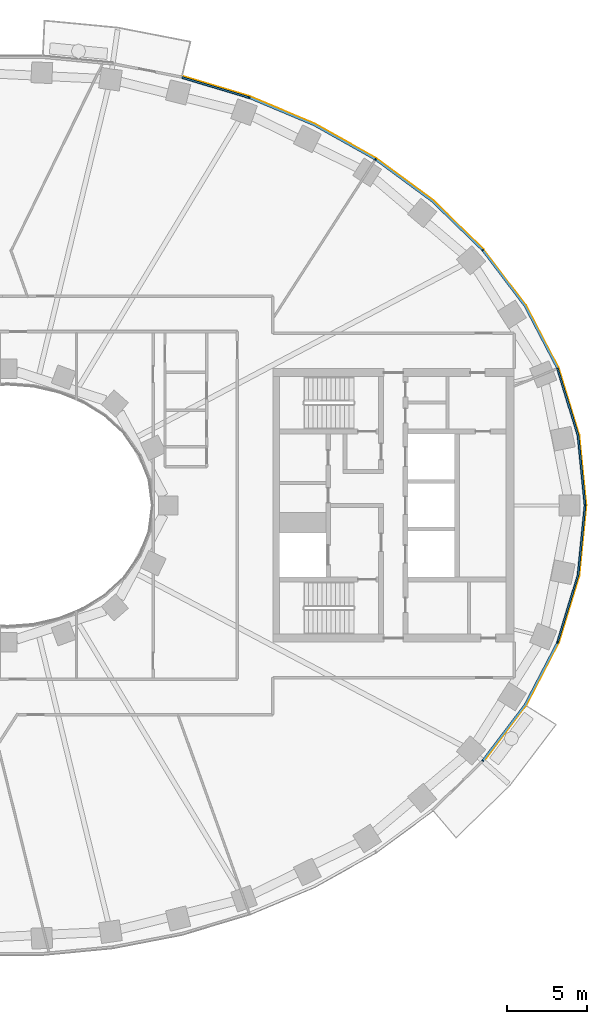
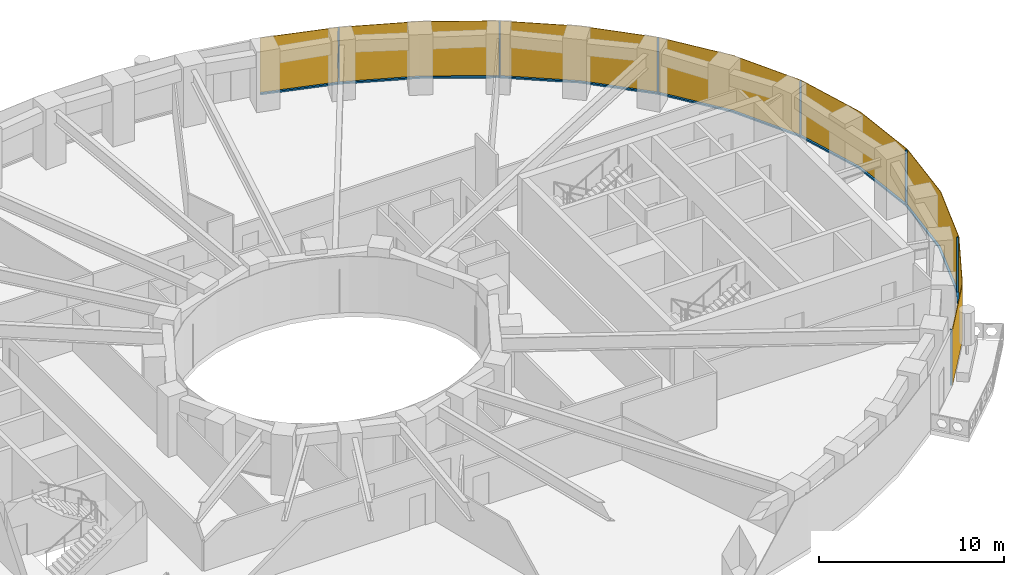
# One storey, part 13 of 16: 14 members, 1 curtain wall.
"""IFC4 building model written with IfcOpenShell, lengths in metres."""

from ifc_helpers import new_model, si_unit, direction, frame, origin, origin_2d, place, context, subcontext, project, spatial, polyline, rectangle, outline, extrude, material, layer, layer_set, material_profile, profile_set, type_object, element, aggregate, save


model = new_model("IFC4")

# Units and contexts
model_context = context("Model", 3, precision=1e-05, world=origin(), true_north=direction((0.0, 1.0)))
body_context = subcontext(model_context, "Body", "Model", "MODEL_VIEW")
ifc_project = project(units=[si_unit("LENGTHUNIT", "METRE"), si_unit("AREAUNIT", "SQUARE_METRE"), si_unit("VOLUMEUNIT", "CUBIC_METRE"), si_unit("PLANEANGLEUNIT", "RADIAN"), si_unit("MASSUNIT", "GRAM", prefix="KILO")], contexts=[model_context])

# Member
ifc_material_1 = material(Name="Aluminium 6063-T6 black anodised", Category="aluminium")
ifc_material_profile = material_profile(ifc_material_1, rectangle(XDim=0.1201171875, YDim=0.06005859375, at=origin_2d()), Name="120x60")
ifc_profile_set = profile_set([ifc_material_profile], Name="Aluminium 6063-T6 black anodised")
member_type_1 = type_object("IfcMemberType", Name="ENV-MULLION-A-120", PredefinedType="MULLION", material=ifc_profile_set)
site_placement = place(None, origin())
building_placement = place(site_placement, origin())
storey_placement = place(building_placement, frame((0.0, 0.0, 100.0)))
member_1_placement = place(storey_placement, frame((29.53857421875, -15.8671875, 0.0), z_axis=(0.0, 0.0, 1.0), x_axis=(-0.749047221705, 0.662516610853, 0.0)))
member_1 = element("IfcMember", 1, at=member_1_placement, type_object=member_type_1, Name="Mullion A radial 43", PredefinedType="MULLION", context=body_context, shape_type="SweptSolid", body=[
    extrude(rectangle(XDim=0.1201171875, YDim=0.06005859375, at=origin_2d()), origin(), (0.0, 0.0, 1.0), 3.699951171875),
])

member_2_placement = place(storey_placement, frame((34.19580078125, -8.513916015625, 0.0), z_axis=(0.0, 0.0, 1.0), x_axis=(-0.92546738067, 0.378827305398, 0.0)))
member_2 = element("IfcMember", 2, at=member_2_placement, type_object=member_type_1, Name="Mullion A radial 45", PredefinedType="MULLION", context=body_context, shape_type="SweptSolid", body=[
    extrude(rectangle(XDim=0.1201171875, YDim=0.06005859375, at=origin_2d()), origin(), (0.0, 0.0, 1.0), 3.699951171875),
])

member_3_placement = place(storey_placement, frame((35.907958984375, 0.0, 0.0), z_axis=(0.0, 0.0, 1.0), x_axis=(-1.0, 0.0, 0.0)))
member_3 = element("IfcMember", 3, at=member_3_placement, type_object=member_type_1, Name="Mullion A radial 01", PredefinedType="MULLION", context=body_context, shape_type="SweptSolid", body=[
    extrude(rectangle(XDim=0.1201171875, YDim=0.06005859375, at=origin_2d()), origin(), (0.0, 0.0, 1.0), 3.699951171875),
])

member_4_placement = place(storey_placement, frame((34.19580078125, 8.513916015625, 0.0), z_axis=(0.0, 0.0, 1.0), x_axis=(-0.92546738067, -0.378827305398, 0.0)))
member_4 = element("IfcMember", 4, at=member_4_placement, type_object=member_type_1, Name="Mullion A radial 03", PredefinedType="MULLION", context=body_context, shape_type="SweptSolid", body=[
    extrude(rectangle(XDim=0.1201171875, YDim=0.06005859375, at=origin_2d()), origin(), (0.0, 0.0, 1.0), 3.699951171875),
])

member_5_placement = place(storey_placement, frame((29.53857421875, 15.8671875, 0.0), z_axis=(0.0, 0.0, 1.0), x_axis=(-0.749047221705, -0.662516610853, 0.0)))
member_5 = element("IfcMember", 5, at=member_5_placement, type_object=member_type_1, Name="Mullion A radial 05", PredefinedType="MULLION", context=body_context, shape_type="SweptSolid", body=[
    extrude(rectangle(XDim=0.1201171875, YDim=0.06005859375, at=origin_2d()), origin(), (0.0, 0.0, 1.0), 3.699951171875),
])

member_6_placement = place(storey_placement, frame((22.882568359375, 21.506591796875, 0.0), z_axis=(0.0, 0.0, 1.0), x_axis=(-0.542279153225, -0.840198381323, 0.0)))
member_6 = element("IfcMember", 6, at=member_6_placement, type_object=member_type_1, Name="Mullion A radial 07", PredefinedType="MULLION", context=body_context, shape_type="SweptSolid", body=[
    extrude(rectangle(XDim=0.1201171875, YDim=0.06005859375, at=origin_2d()), origin(), (0.0, 0.0, 1.0), 3.699951171875),
])

member_7_placement = place(storey_placement, frame((15.0341796875, 25.34375, 0.0), z_axis=(0.0, 0.0, 1.0), x_axis=(-0.338379256581, -0.941009818608, 0.0)))
member_7 = element("IfcMember", 7, at=member_7_placement, type_object=member_type_1, Name="Mullion A radial 09", PredefinedType="MULLION", context=body_context, shape_type="SweptSolid", body=[
    extrude(rectangle(XDim=0.1201171875, YDim=0.06005859375, at=origin_2d()), origin(), (0.0, 0.0, 1.0), 3.699951171875),
])

ifc_material_2 = material(Name="Aluminium 6063-T6 black anodised", Category="aluminium")
member_type_2 = type_object("IfcMemberType", Name="ENV-TRANSOM-A", PredefinedType="USERDEFINED", material=ifc_material_2)
member_8_placement = place(storey_placement, origin())
member_8 = element("IfcMember", 8, at=member_8_placement, type_object=member_type_2, Name="Transom A radial 43-45", ObjectType="TRANSOM", PredefinedType="USERDEFINED", context=body_context, shape_type="SweptSolid", body=[
    extrude(outline(polyline([(29.6005859375, -15.884521484375), (32.22802734375, -12.41748046875), (34.23828125, -8.5615234375), (34.126708984375, -8.515869140625), (32.126220703125, -12.35302734375), (29.51025390625, -15.8046875), (29.6005859375, -15.884521484375)])), origin(), (0.0, 0.0, 1.0), 0.10009765625),
])

member_9_placement = place(storey_placement, origin())
member_9 = element("IfcMember", 9, at=member_9_placement, type_object=member_type_2, Name="Transom A radial 45-01", ObjectType="TRANSOM", PredefinedType="USERDEFINED", context=body_context, shape_type="SweptSolid", body=[
    extrude(outline(polyline([(34.259521484375, -8.509765625), (35.529541015625, -4.352294921875), (35.965087890625, -0.02783203125), (35.844482421875, -0.02783203125), (35.411376953125, -4.32861328125), (34.14794921875, -8.464111328125), (34.259521484375, -8.509765625)])), origin(), (0.0, 0.0, 1.0), 0.10009765625),
])

member_10_placement = place(storey_placement, origin())
member_10 = element("IfcMember", 10, at=member_10_placement, type_object=member_type_2, Name="Transom A radial 01-03", ObjectType="TRANSOM", PredefinedType="USERDEFINED", context=body_context, shape_type="SweptSolid", body=[
    extrude(outline(polyline([(35.965087890625, 0.02783203125), (35.529541015625, 4.352294921875), (34.259521484375, 8.509765625), (34.14794921875, 8.464111328125), (35.411376953125, 4.32861328125), (35.844482421875, 0.02783203125), (35.965087890625, 0.02783203125)])), origin(), (0.0, 0.0, 1.0), 0.10009765625),
])

member_11_placement = place(storey_placement, origin())
member_11 = element("IfcMember", 11, at=member_11_placement, type_object=member_type_2, Name="Transom A radial 03-05", ObjectType="TRANSOM", PredefinedType="USERDEFINED", context=body_context, shape_type="SweptSolid", body=[
    extrude(outline(polyline([(34.23828125, 8.5615234375), (32.22802734375, 12.41748046875), (29.6005859375, 15.884521484375), (29.51025390625, 15.8046875), (32.126220703125, 12.35302734375), (34.126708984375, 8.515869140625), (34.23828125, 8.5615234375)])), origin(), (0.0, 0.0, 1.0), 0.10009765625),
])

member_12_placement = place(storey_placement, origin())
member_12 = element("IfcMember", 12, at=member_12_placement, type_object=member_type_2, Name="Transom A radial 05-07", ObjectType="TRANSOM", PredefinedType="USERDEFINED", context=body_context, shape_type="SweptSolid", body=[
    extrude(outline(polyline([(29.5634765625, 15.926513671875), (26.4423828125, 18.958740234375), (22.937744140625, 21.540283203125), (22.87255859375, 21.439208984375), (26.364501953125, 18.866943359375), (29.473388671875, 15.8466796875), (29.5634765625, 15.926513671875)])), origin(), (0.0, 0.0, 1.0), 0.10009765625),
])

member_13_placement = place(storey_placement, origin())
member_13 = element("IfcMember", 13, at=member_13_placement, type_object=member_type_2, Name="Transom A radial 07-09", ObjectType="TRANSOM", PredefinedType="USERDEFINED", context=body_context, shape_type="SweptSolid", body=[
    extrude(outline(polyline([(22.890625, 21.570556640625), (19.093994140625, 23.701416015625), (15.080322265625, 25.389404296875), (15.03955078125, 25.276123046875), (19.041259765625, 23.593505859375), (22.825439453125, 21.469482421875), (22.890625, 21.570556640625)])), origin(), (0.0, 0.0, 1.0), 0.10009765625),
])

member_14_placement = place(storey_placement, origin())
member_14 = element("IfcMember", 14, at=member_14_placement, type_object=member_type_2, Name="Transom A radial 09-10", ObjectType="TRANSOM", PredefinedType="USERDEFINED", context=body_context, shape_type="SweptSolid", body=[
    extrude(outline(polyline([(15.027587890625, 25.408203125), (10.876708984375, 26.657470703125), (10.847900390625, 26.540771484375), (14.987060546875, 25.295166015625), (15.027587890625, 25.408203125)])), origin(), (0.0, 0.0, 1.0), 0.10009765625),
])

# Site, building, storey
site = spatial("IfcSite", under=ifc_project, at=site_placement, CompositionType="ELEMENT")
building = spatial("IfcBuilding", under=site, at=building_placement, Name="Noorbagh Ring Tower", CompositionType="ELEMENT")
storey = spatial("IfcBuildingStorey", under=building, at=storey_placement, Name="L22", CompositionType="ELEMENT", Elevation=100.0)

# Curtain wall
ifc_material_3 = material(Name="Glass dark tinted laminated", Category="glass")
ifc_layer = layer(ifc_material_3, 0.031982421875)
ifc_layer_set = layer_set([ifc_layer], Name="Glass dark tinted laminated")
curtain_wall_type = type_object("IfcCurtainWallType", Name="ENV-CW-A", PredefinedType="NOTDEFINED", material=ifc_layer_set)
curtain_wall_placement = place(storey_placement, origin())
curtain_wall = element("IfcCurtainWall", 15, at=curtain_wall_placement, inside=storey, type_object=curtain_wall_type, Name="Curtain wall A R43", PredefinedType="NOTDEFINED", context=body_context, shape_type="SweptSolid", body=[
    extrude(outline(polyline([(29.61962890625, -15.912109375), (32.255126953125, -12.434814453125), (34.281005859375, -8.548828125), (35.561279296875, -4.358642578125), (36.0, 0.0), (35.561279296875, 4.358642578125), (34.281005859375, 8.548828125), (32.255126953125, 12.434814453125), (29.607666015625, 15.927978515625), (26.463134765625, 18.9833984375), (22.9326171875, 21.583740234375), (19.108154296875, 23.730224609375), (15.065185546875, 25.430419921875), (10.884521484375, 26.6884765625), (10.876708984375, 26.657470703125), (15.054443359375, 25.400146484375), (19.093994140625, 23.701416015625), (22.9150390625, 21.556884765625), (26.4423828125, 18.958740234375), (29.58349609375, 15.906982421875), (32.22802734375, 12.41748046875), (34.251220703125, 8.53662109375), (35.529541015625, 4.352294921875), (35.9677734375, 0.0), (35.529541015625, -4.352294921875), (34.251220703125, -8.53662109375), (32.22802734375, -12.41748046875), (29.595703125, -15.890869140625), (29.61962890625, -15.912109375)])), origin(), (0.0, 0.0, 1.0), 3.699951171875),
])

aggregate(curtain_wall, [member_1, member_2, member_3, member_4, member_5, member_6, member_7, member_8, member_9, member_10, member_11, member_12, member_13, member_14])

save(model, "model.ifc")
